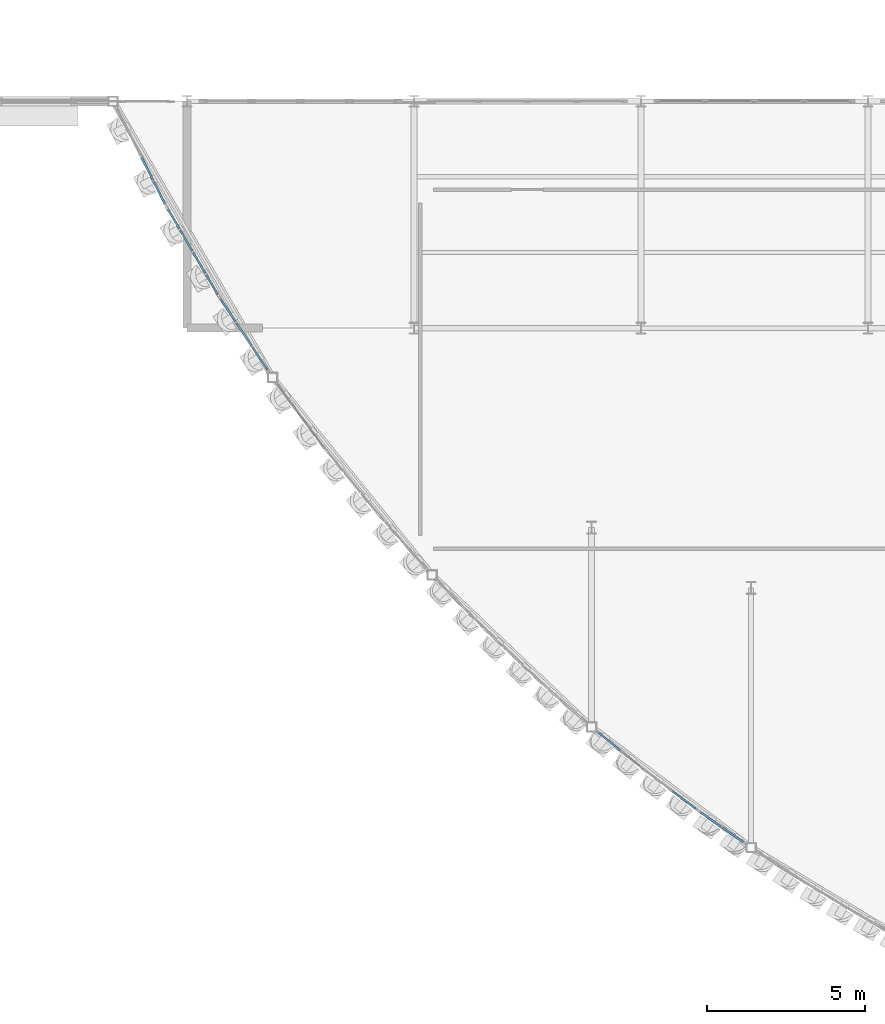
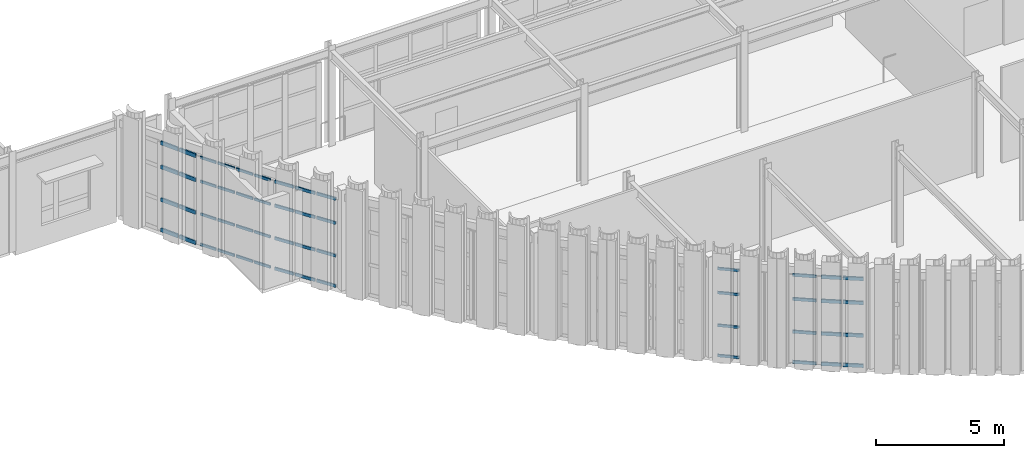
# One storey, part 70 of 126: 52 members, 6 elements without a shape of their own.
"""IFC4 building model written with IfcOpenShell, lengths in metres."""

from ifc_helpers import new_model, si_unit, direction, frame, origin, origin_2d, place, context, subcontext, project, spatial, hollow_rectangle, extrude, material, layer, layer_set, material_profile, profile_set, type_object, element, aggregate, save


model = new_model("IFC4")

# Units and contexts
model_context = context("Model", 3, precision=1e-05, world=origin(), true_north=direction((0.0, 1.0)))
body_context = subcontext(model_context, "Body", "Model", "MODEL_VIEW")
ifc_project = project(units=[si_unit("LENGTHUNIT", "METRE"), si_unit("AREAUNIT", "SQUARE_METRE"), si_unit("VOLUMEUNIT", "CUBIC_METRE"), si_unit("PLANEANGLEUNIT", "RADIAN"), si_unit("MASSUNIT", "GRAM", prefix="KILO")], contexts=[model_context])

# Site, building, storey
site_placement = place(None, origin())
site = spatial("IfcSite", under=ifc_project, at=site_placement, CompositionType="ELEMENT")
building_placement = place(site_placement, origin())
building = spatial("IfcBuilding", under=site, at=building_placement, Name="Solvadek Multi-Sports Hall", CompositionType="ELEMENT")
storey_placement = place(building_placement, frame((0.0, 0.0, 9.60009765625)))
storey = spatial("IfcBuildingStorey", under=building, at=storey_placement, Name="L02", CompositionType="ELEMENT", Elevation=9.60009765625)

# Curtain wall, members
ifc_material = material(Name="Anodised aluminium", Category="aluminium")
ifc_layer_1 = layer(ifc_material, 0.159912109375, Name="Anodised aluminium")
ifc_layer_set_1 = layer_set([ifc_layer_1], Name="Anodised aluminium")
curtain_wall_type_1 = type_object("IfcCurtainWallType", Name="ENV-CW-328X420", PredefinedType="USERDEFINED", material=ifc_layer_set_1)
curtain_wall_1_placement = place(storey_placement, origin())
curtain_wall_1 = element("IfcCurtainWall", 1, at=curtain_wall_1_placement, inside=storey, type_object=curtain_wall_type_1, Name="L02 Crescent Curved Curtain Wall #4", ObjectType="CURTAIN WALL", PredefinedType="USERDEFINED")
ifc_material_profile_1 = material_profile(ifc_material, hollow_rectangle(XDim=0.06005859375, YDim=0.1201171875, WallThickness=0.00390625, at=origin_2d()), Name="ALU-T 120x60x4")
ifc_profile_set_1 = profile_set([ifc_material_profile_1], Name="Anodised aluminium")
member_type_1 = type_object("IfcMemberType", Name="ENV-CWT-01", PredefinedType="USERDEFINED", material=ifc_profile_set_1)
member_1_placement = place(storey_placement, frame((28.19189453125, 16.98046875, 0.02978515625), z_axis=(0.504825731606, -0.863221281427, 0.0), x_axis=(0.863221281427, 0.504825731606, 0.0)))
member_1 = element("IfcMember", 2, at=member_1_placement, type_object=member_type_1, Name="CW-02 transom 1.1", ObjectType="TRANSOM", PredefinedType="USERDEFINED", context=body_context, shape_type="SweptSolid", body=[
    extrude(hollow_rectangle(XDim=0.06005859375, YDim=0.1201171875, WallThickness=0.00390625, at=origin_2d()), origin(), (0.0, 0.0, 1.0), 0.71533203125),
])
member_2_placement = place(storey_placement, frame((28.19189453125, 16.98046875, 1.469970703125), z_axis=(0.504825731606, -0.863221281427, 0.0), x_axis=(0.863221281427, 0.504825731606, 0.0)))
member_2 = element("IfcMember", 3, at=member_2_placement, type_object=member_type_1, Name="CW-02 transom 1.2", ObjectType="TRANSOM", PredefinedType="USERDEFINED", context=body_context, shape_type="SweptSolid", body=[
    extrude(hollow_rectangle(XDim=0.06005859375, YDim=0.1201171875, WallThickness=0.00390625, at=origin_2d()), origin(), (0.0, 0.0, 1.0), 0.71533203125),
])
member_3_placement = place(storey_placement, frame((28.19189453125, 16.98046875, 3.02392578125), z_axis=(0.504825731606, -0.863221281427, 0.0), x_axis=(0.863221281427, 0.504825731606, 0.0)))
member_3 = element("IfcMember", 4, at=member_3_placement, type_object=member_type_1, Name="CW-02 transom 1.3", ObjectType="TRANSOM", PredefinedType="USERDEFINED", context=body_context, shape_type="SweptSolid", body=[
    extrude(hollow_rectangle(XDim=0.06005859375, YDim=0.1201171875, WallThickness=0.00390625, at=origin_2d()), origin(), (0.0, 0.0, 1.0), 0.71533203125),
])
member_4_placement = place(storey_placement, frame((28.19189453125, 16.98046875, 4.169921875), z_axis=(0.504825731606, -0.863221281427, 0.0), x_axis=(0.863221281427, 0.504825731606, 0.0)))
member_4 = element("IfcMember", 5, at=member_4_placement, type_object=member_type_1, Name="CW-02 transom 1.4", ObjectType="TRANSOM", PredefinedType="USERDEFINED", context=body_context, shape_type="SweptSolid", body=[
    extrude(hollow_rectangle(XDim=0.06005859375, YDim=0.1201171875, WallThickness=0.00390625, at=origin_2d()), origin(), (0.0, 0.0, 1.0), 0.71533203125),
])
member_5_placement = place(storey_placement, frame((28.58837890625, 16.302734375, 0.02978515625), z_axis=(0.505084608649, -0.863069833852, 0.0), x_axis=(0.863069833852, 0.505084608649, 0.0)))
member_5 = element("IfcMember", 6, at=member_5_placement, type_object=member_type_1, Name="CW-02 transom 2.1", ObjectType="TRANSOM", PredefinedType="USERDEFINED", context=body_context, shape_type="SweptSolid", body=[
    extrude(hollow_rectangle(XDim=0.06005859375, YDim=0.1201171875, WallThickness=0.00390625, at=origin_2d()), origin(), (0.0, 0.0, 1.0), 0.750244140625),
])
member_6_placement = place(storey_placement, frame((28.58837890625, 16.302734375, 1.469970703125), z_axis=(0.505084608649, -0.863069833852, 0.0), x_axis=(0.863069833852, 0.505084608649, 0.0)))
member_6 = element("IfcMember", 7, at=member_6_placement, type_object=member_type_1, Name="CW-02 transom 2.2", ObjectType="TRANSOM", PredefinedType="USERDEFINED", context=body_context, shape_type="SweptSolid", body=[
    extrude(hollow_rectangle(XDim=0.06005859375, YDim=0.1201171875, WallThickness=0.00390625, at=origin_2d()), origin(), (0.0, 0.0, 1.0), 0.750244140625),
])
member_7_placement = place(storey_placement, frame((28.58837890625, 16.302734375, 3.02392578125), z_axis=(0.505084608649, -0.863069833852, 0.0), x_axis=(0.863069833852, 0.505084608649, 0.0)))
member_7 = element("IfcMember", 8, at=member_7_placement, type_object=member_type_1, Name="CW-02 transom 2.3", ObjectType="TRANSOM", PredefinedType="USERDEFINED", context=body_context, shape_type="SweptSolid", body=[
    extrude(hollow_rectangle(XDim=0.06005859375, YDim=0.1201171875, WallThickness=0.00390625, at=origin_2d()), origin(), (0.0, 0.0, 1.0), 0.750244140625),
])
member_8_placement = place(storey_placement, frame((28.58837890625, 16.302734375, 4.169921875), z_axis=(0.505084608649, -0.863069833852, 0.0), x_axis=(0.863069833852, 0.505084608649, 0.0)))
member_8 = element("IfcMember", 9, at=member_8_placement, type_object=member_type_1, Name="CW-02 transom 2.4", ObjectType="TRANSOM", PredefinedType="USERDEFINED", context=body_context, shape_type="SweptSolid", body=[
    extrude(hollow_rectangle(XDim=0.06005859375, YDim=0.1201171875, WallThickness=0.00390625, at=origin_2d()), origin(), (0.0, 0.0, 1.0), 0.750244140625),
])
member_9_placement = place(storey_placement, frame((29.002685546875, 15.5947265625, 0.02978515625), z_axis=(0.504842131194, -0.863211690474, 0.0), x_axis=(0.863211690474, 0.504842131194, 0.0)))
member_9 = element("IfcMember", 10, at=member_9_placement, type_object=member_type_1, Name="CW-02 transom 3.1", ObjectType="TRANSOM", PredefinedType="USERDEFINED", context=body_context, shape_type="SweptSolid", body=[
    extrude(hollow_rectangle(XDim=0.06005859375, YDim=0.1201171875, WallThickness=0.00390625, at=origin_2d()), origin(), (0.0, 0.0, 1.0), 0.75),
])
member_10_placement = place(storey_placement, frame((29.002685546875, 15.5947265625, 1.469970703125), z_axis=(0.504842131194, -0.863211690474, 0.0), x_axis=(0.863211690474, 0.504842131194, 0.0)))
member_10 = element("IfcMember", 11, at=member_10_placement, type_object=member_type_1, Name="CW-02 transom 3.2", ObjectType="TRANSOM", PredefinedType="USERDEFINED", context=body_context, shape_type="SweptSolid", body=[
    extrude(hollow_rectangle(XDim=0.06005859375, YDim=0.1201171875, WallThickness=0.00390625, at=origin_2d()), origin(), (0.0, 0.0, 1.0), 0.75),
])
member_11_placement = place(storey_placement, frame((29.002685546875, 15.5947265625, 3.02392578125), z_axis=(0.504842131194, -0.863211690474, 0.0), x_axis=(0.863211690474, 0.504842131194, 0.0)))
member_11 = element("IfcMember", 12, at=member_11_placement, type_object=member_type_1, Name="CW-02 transom 3.3", ObjectType="TRANSOM", PredefinedType="USERDEFINED", context=body_context, shape_type="SweptSolid", body=[
    extrude(hollow_rectangle(XDim=0.06005859375, YDim=0.1201171875, WallThickness=0.00390625, at=origin_2d()), origin(), (0.0, 0.0, 1.0), 0.75),
])
member_12_placement = place(storey_placement, frame((29.002685546875, 15.5947265625, 4.169921875), z_axis=(0.504842131194, -0.863211690474, 0.0), x_axis=(0.863211690474, 0.504842131194, 0.0)))
member_12 = element("IfcMember", 13, at=member_12_placement, type_object=member_type_1, Name="CW-02 transom 3.4", ObjectType="TRANSOM", PredefinedType="USERDEFINED", context=body_context, shape_type="SweptSolid", body=[
    extrude(hollow_rectangle(XDim=0.06005859375, YDim=0.1201171875, WallThickness=0.00390625, at=origin_2d()), origin(), (0.0, 0.0, 1.0), 0.75),
])
member_13_placement = place(storey_placement, frame((29.416748046875, 14.88671875, 0.02978515625), z_axis=(0.504974511079, -0.863134255583, 0.0), x_axis=(0.863134255583, 0.504974511079, 0.0)))
member_13 = element("IfcMember", 14, at=member_13_placement, type_object=member_type_1, Name="CW-02 transom 4.1", ObjectType="TRANSOM", PredefinedType="USERDEFINED", context=body_context, shape_type="SweptSolid", body=[
    extrude(hollow_rectangle(XDim=0.06005859375, YDim=0.1201171875, WallThickness=0.00390625, at=origin_2d()), origin(), (0.0, 0.0, 1.0), 0.715087890625),
])
member_14_placement = place(storey_placement, frame((29.416748046875, 14.88671875, 1.469970703125), z_axis=(0.504974511079, -0.863134255583, 0.0), x_axis=(0.863134255583, 0.504974511079, 0.0)))
member_14 = element("IfcMember", 15, at=member_14_placement, type_object=member_type_1, Name="CW-02 transom 4.2", ObjectType="TRANSOM", PredefinedType="USERDEFINED", context=body_context, shape_type="SweptSolid", body=[
    extrude(hollow_rectangle(XDim=0.06005859375, YDim=0.1201171875, WallThickness=0.00390625, at=origin_2d()), origin(), (0.0, 0.0, 1.0), 0.715087890625),
])
member_15_placement = place(storey_placement, frame((29.416748046875, 14.88671875, 3.02392578125), z_axis=(0.504974511079, -0.863134255583, 0.0), x_axis=(0.863134255583, 0.504974511079, 0.0)))
member_15 = element("IfcMember", 16, at=member_15_placement, type_object=member_type_1, Name="CW-02 transom 4.3", ObjectType="TRANSOM", PredefinedType="USERDEFINED", context=body_context, shape_type="SweptSolid", body=[
    extrude(hollow_rectangle(XDim=0.06005859375, YDim=0.1201171875, WallThickness=0.00390625, at=origin_2d()), origin(), (0.0, 0.0, 1.0), 0.715087890625),
])
member_16_placement = place(storey_placement, frame((29.416748046875, 14.88671875, 4.169921875), z_axis=(0.504974511079, -0.863134255583, 0.0), x_axis=(0.863134255583, 0.504974511079, 0.0)))
member_16 = element("IfcMember", 17, at=member_16_placement, type_object=member_type_1, Name="CW-02 transom 4.4", ObjectType="TRANSOM", PredefinedType="USERDEFINED", context=body_context, shape_type="SweptSolid", body=[
    extrude(hollow_rectangle(XDim=0.06005859375, YDim=0.1201171875, WallThickness=0.00390625, at=origin_2d()), origin(), (0.0, 0.0, 1.0), 0.715087890625),
])
aggregate(curtain_wall_1, [member_1, member_2, member_3, member_4, member_5, member_6, member_7, member_8, member_9, member_10, member_11, member_12, member_13, member_14, member_15, member_16])

ifc_layer_2 = layer(ifc_material, 0.159912109375, Name="Anodised aluminium")
ifc_layer_set_2 = layer_set([ifc_layer_2], Name="Anodised aluminium")
curtain_wall_type_2 = type_object("IfcCurtainWallType", Name="ENV-CW-190X420", PredefinedType="USERDEFINED", material=ifc_layer_set_2)
curtain_wall_2_placement = place(storey_placement, origin())
curtain_wall_2 = element("IfcCurtainWall", 18, at=curtain_wall_2_placement, inside=storey, type_object=curtain_wall_type_2, Name="L02 Crescent Curved Curtain Wall #20", ObjectType="CURTAIN WALL", PredefinedType="USERDEFINED")
member_17_placement = place(storey_placement, frame((41.873046875, 0.352783203125, 0.02978515625), z_axis=(0.775799363064, -0.63097967342, 0.0), x_axis=(0.63097967342, 0.775799363064, 0.0)))
member_17 = element("IfcMember", 19, at=member_17_placement, type_object=member_type_1, Name="CW-09 transom 1.1", ObjectType="TRANSOM", PredefinedType="USERDEFINED", context=body_context, shape_type="SweptSolid", body=[
    extrude(hollow_rectangle(XDim=0.06005859375, YDim=0.1201171875, WallThickness=0.00390625, at=origin_2d()), origin(), (0.0, 0.0, 1.0), 0.854736328125),
])
member_18_placement = place(storey_placement, frame((41.873046875, 0.352783203125, 1.469970703125), z_axis=(0.775799363064, -0.63097967342, 0.0), x_axis=(0.63097967342, 0.775799363064, 0.0)))
member_18 = element("IfcMember", 20, at=member_18_placement, type_object=member_type_1, Name="CW-09 transom 1.2", ObjectType="TRANSOM", PredefinedType="USERDEFINED", context=body_context, shape_type="SweptSolid", body=[
    extrude(hollow_rectangle(XDim=0.06005859375, YDim=0.1201171875, WallThickness=0.00390625, at=origin_2d()), origin(), (0.0, 0.0, 1.0), 0.854736328125),
])
member_19_placement = place(storey_placement, frame((41.873046875, 0.352783203125, 3.02392578125), z_axis=(0.775799363064, -0.63097967342, 0.0), x_axis=(0.63097967342, 0.775799363064, 0.0)))
member_19 = element("IfcMember", 21, at=member_19_placement, type_object=member_type_1, Name="CW-09 transom 1.3", ObjectType="TRANSOM", PredefinedType="USERDEFINED", context=body_context, shape_type="SweptSolid", body=[
    extrude(hollow_rectangle(XDim=0.06005859375, YDim=0.1201171875, WallThickness=0.00390625, at=origin_2d()), origin(), (0.0, 0.0, 1.0), 0.854736328125),
])
member_20_placement = place(storey_placement, frame((41.873046875, 0.352783203125, 4.169921875), z_axis=(0.775799363064, -0.63097967342, 0.0), x_axis=(0.63097967342, 0.775799363064, 0.0)))
member_20 = element("IfcMember", 22, at=member_20_placement, type_object=member_type_1, Name="CW-09 transom 1.4", ObjectType="TRANSOM", PredefinedType="USERDEFINED", context=body_context, shape_type="SweptSolid", body=[
    extrude(hollow_rectangle(XDim=0.06005859375, YDim=0.1201171875, WallThickness=0.00390625, at=origin_2d()), origin(), (0.0, 0.0, 1.0), 0.854736328125),
])
aggregate(curtain_wall_2, [member_17, member_18, member_19, member_20])

ifc_layer_3 = layer(ifc_material, 0.159912109375, Name="Anodised aluminium")
ifc_layer_set_3 = layer_set([ifc_layer_3], Name="Anodised aluminium")
curtain_wall_type_3 = type_object("IfcCurtainWallType", Name="ENV-CW-279X420", PredefinedType="USERDEFINED", material=ifc_layer_set_3)
curtain_wall_3_placement = place(storey_placement, origin())
curtain_wall_3 = element("IfcCurtainWall", 23, at=curtain_wall_3_placement, inside=storey, type_object=curtain_wall_type_3, Name="L02 Crescent Curved Curtain Wall #6", ObjectType="CURTAIN WALL", PredefinedType="USERDEFINED")
ifc_material_profile_2 = material_profile(ifc_material, hollow_rectangle(XDim=0.06005859375, YDim=0.139892578125, WallThickness=0.00390625, at=origin_2d()), Name="ALU-T 140x60x4")
ifc_profile_set_2 = profile_set([ifc_material_profile_2], Name="Anodised aluminium")
member_type_2 = type_object("IfcMemberType", Name="ENV-CWT-02", PredefinedType="USERDEFINED", material=ifc_profile_set_2)
member_21_placement = place(storey_placement, frame((29.8779296875, 14.108154296875, 0.02978515625), z_axis=(0.551474182656, -0.834191959841, 0.0), x_axis=(0.834191959841, 0.551474182656, 0.0)))
member_21 = element("IfcMember", 24, at=member_21_placement, type_object=member_type_2, Name="CW-03 transom 1.1", ObjectType="TRANSOM", PredefinedType="USERDEFINED", context=body_context, shape_type="SweptSolid", body=[
    extrude(hollow_rectangle(XDim=0.06005859375, YDim=0.139892578125, WallThickness=0.00390625, at=origin_2d()), origin(), (0.0, 0.0, 1.0), 0.83935546875),
])
member_22_placement = place(storey_placement, frame((29.8779296875, 14.108154296875, 1.469970703125), z_axis=(0.551474182656, -0.834191959841, 0.0), x_axis=(0.834191959841, 0.551474182656, 0.0)))
member_22 = element("IfcMember", 25, at=member_22_placement, type_object=member_type_2, Name="CW-03 transom 1.2", ObjectType="TRANSOM", PredefinedType="USERDEFINED", context=body_context, shape_type="SweptSolid", body=[
    extrude(hollow_rectangle(XDim=0.06005859375, YDim=0.139892578125, WallThickness=0.00390625, at=origin_2d()), origin(), (0.0, 0.0, 1.0), 0.83935546875),
])
member_23_placement = place(storey_placement, frame((29.8779296875, 14.108154296875, 3.02392578125), z_axis=(0.551474182656, -0.834191959841, 0.0), x_axis=(0.834191959841, 0.551474182656, 0.0)))
member_23 = element("IfcMember", 26, at=member_23_placement, type_object=member_type_2, Name="CW-03 transom 1.3", ObjectType="TRANSOM", PredefinedType="USERDEFINED", context=body_context, shape_type="SweptSolid", body=[
    extrude(hollow_rectangle(XDim=0.06005859375, YDim=0.139892578125, WallThickness=0.00390625, at=origin_2d()), origin(), (0.0, 0.0, 1.0), 0.83935546875),
])
member_24_placement = place(storey_placement, frame((29.8779296875, 14.108154296875, 4.169921875), z_axis=(0.551474182656, -0.834191959841, 0.0), x_axis=(0.834191959841, 0.551474182656, 0.0)))
member_24 = element("IfcMember", 27, at=member_24_placement, type_object=member_type_2, Name="CW-03 transom 1.4", ObjectType="TRANSOM", PredefinedType="USERDEFINED", context=body_context, shape_type="SweptSolid", body=[
    extrude(hollow_rectangle(XDim=0.06005859375, YDim=0.139892578125, WallThickness=0.00390625, at=origin_2d()), origin(), (0.0, 0.0, 1.0), 0.83935546875),
])
member_25_placement = place(storey_placement, frame((30.3740234375, 13.35791015625, 0.02978515625), z_axis=(0.551585387867, -0.834118432773, 0.0), x_axis=(0.834118432773, 0.551585387867, 0.0)))
member_25 = element("IfcMember", 28, at=member_25_placement, type_object=member_type_2, Name="CW-03 transom 2.1", ObjectType="TRANSOM", PredefinedType="USERDEFINED", context=body_context, shape_type="SweptSolid", body=[
    extrude(hollow_rectangle(XDim=0.06005859375, YDim=0.139892578125, WallThickness=0.00390625, at=origin_2d()), origin(), (0.0, 0.0, 1.0), 0.869384765625),
])
member_26_placement = place(storey_placement, frame((30.3740234375, 13.35791015625, 1.469970703125), z_axis=(0.551585387867, -0.834118432773, 0.0), x_axis=(0.834118432773, 0.551585387867, 0.0)))
member_26 = element("IfcMember", 29, at=member_26_placement, type_object=member_type_2, Name="CW-03 transom 2.2", ObjectType="TRANSOM", PredefinedType="USERDEFINED", context=body_context, shape_type="SweptSolid", body=[
    extrude(hollow_rectangle(XDim=0.06005859375, YDim=0.139892578125, WallThickness=0.00390625, at=origin_2d()), origin(), (0.0, 0.0, 1.0), 0.869384765625),
])
member_27_placement = place(storey_placement, frame((30.3740234375, 13.35791015625, 3.02392578125), z_axis=(0.551585387867, -0.834118432773, 0.0), x_axis=(0.834118432773, 0.551585387867, 0.0)))
member_27 = element("IfcMember", 30, at=member_27_placement, type_object=member_type_2, Name="CW-03 transom 2.3", ObjectType="TRANSOM", PredefinedType="USERDEFINED", context=body_context, shape_type="SweptSolid", body=[
    extrude(hollow_rectangle(XDim=0.06005859375, YDim=0.139892578125, WallThickness=0.00390625, at=origin_2d()), origin(), (0.0, 0.0, 1.0), 0.869384765625),
])
member_28_placement = place(storey_placement, frame((30.3740234375, 13.35791015625, 4.169921875), z_axis=(0.551585387867, -0.834118432773, 0.0), x_axis=(0.834118432773, 0.551585387867, 0.0)))
member_28 = element("IfcMember", 31, at=member_28_placement, type_object=member_type_2, Name="CW-03 transom 2.4", ObjectType="TRANSOM", PredefinedType="USERDEFINED", context=body_context, shape_type="SweptSolid", body=[
    extrude(hollow_rectangle(XDim=0.06005859375, YDim=0.139892578125, WallThickness=0.00390625, at=origin_2d()), origin(), (0.0, 0.0, 1.0), 0.869384765625),
])
member_29_placement = place(storey_placement, frame((30.88671875, 12.582763671875, 0.02978515625), z_axis=(0.551474182656, -0.834191959841, 0.0), x_axis=(0.834191959841, 0.551474182656, 0.0)))
member_29 = element("IfcMember", 32, at=member_29_placement, type_object=member_type_2, Name="CW-03 transom 3.1", ObjectType="TRANSOM", PredefinedType="USERDEFINED", context=body_context, shape_type="SweptSolid", body=[
    extrude(hollow_rectangle(XDim=0.06005859375, YDim=0.139892578125, WallThickness=0.00390625, at=origin_2d()), origin(), (0.0, 0.0, 1.0), 0.83935546875),
])
member_30_placement = place(storey_placement, frame((30.88671875, 12.582763671875, 1.469970703125), z_axis=(0.551474182656, -0.834191959841, 0.0), x_axis=(0.834191959841, 0.551474182656, 0.0)))
member_30 = element("IfcMember", 33, at=member_30_placement, type_object=member_type_2, Name="CW-03 transom 3.2", ObjectType="TRANSOM", PredefinedType="USERDEFINED", context=body_context, shape_type="SweptSolid", body=[
    extrude(hollow_rectangle(XDim=0.06005859375, YDim=0.139892578125, WallThickness=0.00390625, at=origin_2d()), origin(), (0.0, 0.0, 1.0), 0.83935546875),
])
member_31_placement = place(storey_placement, frame((30.88671875, 12.582763671875, 3.02392578125), z_axis=(0.551474182656, -0.834191959841, 0.0), x_axis=(0.834191959841, 0.551474182656, 0.0)))
member_31 = element("IfcMember", 34, at=member_31_placement, type_object=member_type_2, Name="CW-03 transom 3.3", ObjectType="TRANSOM", PredefinedType="USERDEFINED", context=body_context, shape_type="SweptSolid", body=[
    extrude(hollow_rectangle(XDim=0.06005859375, YDim=0.139892578125, WallThickness=0.00390625, at=origin_2d()), origin(), (0.0, 0.0, 1.0), 0.83935546875),
])
member_32_placement = place(storey_placement, frame((30.88671875, 12.582763671875, 4.169921875), z_axis=(0.551474182656, -0.834191959841, 0.0), x_axis=(0.834191959841, 0.551474182656, 0.0)))
member_32 = element("IfcMember", 35, at=member_32_placement, type_object=member_type_2, Name="CW-03 transom 3.4", ObjectType="TRANSOM", PredefinedType="USERDEFINED", context=body_context, shape_type="SweptSolid", body=[
    extrude(hollow_rectangle(XDim=0.06005859375, YDim=0.139892578125, WallThickness=0.00390625, at=origin_2d()), origin(), (0.0, 0.0, 1.0), 0.83935546875),
])
aggregate(curtain_wall_3, [member_21, member_22, member_23, member_24, member_25, member_26, member_27, member_28, member_29, member_30, member_31, member_32])

ifc_layer_4 = layer(ifc_material, 0.159912109375, Name="Anodised aluminium")
ifc_layer_set_4 = layer_set([ifc_layer_4], Name="Anodised aluminium")
curtain_wall_type_4 = type_object("IfcCurtainWallType", Name="ENV-CW-205X420", PredefinedType="USERDEFINED", material=ifc_layer_set_4)
curtain_wall_4_placement = place(storey_placement, origin())
curtain_wall_4 = element("IfcCurtainWall", 36, at=curtain_wall_4_placement, inside=storey, type_object=curtain_wall_type_4, Name="L02 Crescent Curved Curtain Wall #22", ObjectType="CURTAIN WALL", PredefinedType="USERDEFINED")
member_33_placement = place(storey_placement, frame((44.192626953125, -1.482421875, 0.02978515625), z_axis=(0.79845144591, -0.602059206827, 0.0), x_axis=(0.602059206827, 0.79845144591, 0.0)))
member_33 = element("IfcMember", 37, at=member_33_placement, type_object=member_type_2, Name="CW-10 transom 2.1", ObjectType="TRANSOM", PredefinedType="USERDEFINED", context=body_context, shape_type="SweptSolid", body=[
    extrude(hollow_rectangle(XDim=0.06005859375, YDim=0.139892578125, WallThickness=0.00390625, at=origin_2d()), origin(), (0.0, 0.0, 1.0), 0.9287109375),
])
member_34_placement = place(storey_placement, frame((44.192626953125, -1.482421875, 1.469970703125), z_axis=(0.79845144591, -0.602059206827, 0.0), x_axis=(0.602059206827, 0.79845144591, 0.0)))
member_34 = element("IfcMember", 38, at=member_34_placement, type_object=member_type_2, Name="CW-10 transom 2.2", ObjectType="TRANSOM", PredefinedType="USERDEFINED", context=body_context, shape_type="SweptSolid", body=[
    extrude(hollow_rectangle(XDim=0.06005859375, YDim=0.139892578125, WallThickness=0.00390625, at=origin_2d()), origin(), (0.0, 0.0, 1.0), 0.9287109375),
])
member_35_placement = place(storey_placement, frame((44.192626953125, -1.482421875, 3.02392578125), z_axis=(0.79845144591, -0.602059206827, 0.0), x_axis=(0.602059206827, 0.79845144591, 0.0)))
member_35 = element("IfcMember", 39, at=member_35_placement, type_object=member_type_2, Name="CW-10 transom 2.3", ObjectType="TRANSOM", PredefinedType="USERDEFINED", context=body_context, shape_type="SweptSolid", body=[
    extrude(hollow_rectangle(XDim=0.06005859375, YDim=0.139892578125, WallThickness=0.00390625, at=origin_2d()), origin(), (0.0, 0.0, 1.0), 0.9287109375),
])
member_36_placement = place(storey_placement, frame((44.192626953125, -1.482421875, 4.169921875), z_axis=(0.79845144591, -0.602059206827, 0.0), x_axis=(0.602059206827, 0.79845144591, 0.0)))
member_36 = element("IfcMember", 40, at=member_36_placement, type_object=member_type_2, Name="CW-10 transom 2.4", ObjectType="TRANSOM", PredefinedType="USERDEFINED", context=body_context, shape_type="SweptSolid", body=[
    extrude(hollow_rectangle(XDim=0.06005859375, YDim=0.139892578125, WallThickness=0.00390625, at=origin_2d()), origin(), (0.0, 0.0, 1.0), 0.9287109375),
])
aggregate(curtain_wall_4, [member_33, member_34, member_35, member_36])

ifc_layer_5 = layer(ifc_material, 0.159912109375, Name="Anodised aluminium")
ifc_layer_set_5 = layer_set([ifc_layer_5], Name="Anodised aluminium")
curtain_wall_type_5 = type_object("IfcCurtainWallType", Name="ENV-CW-179X420", PredefinedType="USERDEFINED", material=ifc_layer_set_5)
curtain_wall_5_placement = place(storey_placement, origin())
curtain_wall_5 = element("IfcCurtainWall", 41, at=curtain_wall_5_placement, inside=storey, type_object=curtain_wall_type_5, Name="L02 Crescent Curved Curtain Wall #24", ObjectType="CURTAIN WALL", PredefinedType="USERDEFINED")
ifc_material_profile_3 = material_profile(ifc_material, hollow_rectangle(XDim=0.06494140625, YDim=0.159912109375, WallThickness=0.00390625, at=origin_2d()), Name="ALU-T 160x65x4")
ifc_profile_set_3 = profile_set([ifc_material_profile_3], Name="Anodised aluminium")
member_type_3 = type_object("IfcMemberType", Name="ENV-CWT-03", PredefinedType="USERDEFINED", material=ifc_profile_set_3)
member_37_placement = place(storey_placement, frame((45.092041015625, -2.156005859375, 0.032470703125), z_axis=(0.819420797025, -0.573192426156, 0.0), x_axis=(0.573192426156, 0.819420797025, 0.0)))
member_37 = element("IfcMember", 42, at=member_37_placement, type_object=member_type_3, Name="CW-11 transom 1.1", ObjectType="TRANSOM", PredefinedType="USERDEFINED", context=body_context, shape_type="SweptSolid", body=[
    extrude(hollow_rectangle(XDim=0.06494140625, YDim=0.159912109375, WallThickness=0.00390625, at=origin_2d()), origin(), (0.0, 0.0, 1.0), 0.789306640625),
])
member_38_placement = place(storey_placement, frame((45.092041015625, -2.156005859375, 1.469970703125), z_axis=(0.819420797025, -0.573192426156, 0.0), x_axis=(0.573192426156, 0.819420797025, 0.0)))
member_38 = element("IfcMember", 43, at=member_38_placement, type_object=member_type_3, Name="CW-11 transom 1.2", ObjectType="TRANSOM", PredefinedType="USERDEFINED", context=body_context, shape_type="SweptSolid", body=[
    extrude(hollow_rectangle(XDim=0.06494140625, YDim=0.159912109375, WallThickness=0.00390625, at=origin_2d()), origin(), (0.0, 0.0, 1.0), 0.789306640625),
])
member_39_placement = place(storey_placement, frame((45.092041015625, -2.156005859375, 3.02392578125), z_axis=(0.819420797025, -0.573192426156, 0.0), x_axis=(0.573192426156, 0.819420797025, 0.0)))
member_39 = element("IfcMember", 44, at=member_39_placement, type_object=member_type_3, Name="CW-11 transom 1.3", ObjectType="TRANSOM", PredefinedType="USERDEFINED", context=body_context, shape_type="SweptSolid", body=[
    extrude(hollow_rectangle(XDim=0.06494140625, YDim=0.159912109375, WallThickness=0.00390625, at=origin_2d()), origin(), (0.0, 0.0, 1.0), 0.789306640625),
])
member_40_placement = place(storey_placement, frame((45.092041015625, -2.156005859375, 4.16748046875), z_axis=(0.819420797025, -0.573192426156, 0.0), x_axis=(0.573192426156, 0.819420797025, 0.0)))
member_40 = element("IfcMember", 45, at=member_40_placement, type_object=member_type_3, Name="CW-11 transom 1.4", ObjectType="TRANSOM", PredefinedType="USERDEFINED", context=body_context, shape_type="SweptSolid", body=[
    extrude(hollow_rectangle(XDim=0.06494140625, YDim=0.159912109375, WallThickness=0.00390625, at=origin_2d()), origin(), (0.0, 0.0, 1.0), 0.789306640625),
])
member_41_placement = place(storey_placement, frame((45.796142578125, -2.6484375, 0.032470703125), z_axis=(0.819566085358, -0.572984669718, 0.0), x_axis=(0.572984669718, 0.819566085358, 0.0)))
member_41 = element("IfcMember", 46, at=member_41_placement, type_object=member_type_3, Name="CW-11 transom 2.1", ObjectType="TRANSOM", PredefinedType="USERDEFINED", context=body_context, shape_type="SweptSolid", body=[
    extrude(hollow_rectangle(XDim=0.06494140625, YDim=0.159912109375, WallThickness=0.00390625, at=origin_2d()), origin(), (0.0, 0.0, 1.0), 0.7890625),
])
member_42_placement = place(storey_placement, frame((45.796142578125, -2.6484375, 1.469970703125), z_axis=(0.819566085358, -0.572984669718, 0.0), x_axis=(0.572984669718, 0.819566085358, 0.0)))
member_42 = element("IfcMember", 47, at=member_42_placement, type_object=member_type_3, Name="CW-11 transom 2.2", ObjectType="TRANSOM", PredefinedType="USERDEFINED", context=body_context, shape_type="SweptSolid", body=[
    extrude(hollow_rectangle(XDim=0.06494140625, YDim=0.159912109375, WallThickness=0.00390625, at=origin_2d()), origin(), (0.0, 0.0, 1.0), 0.7890625),
])
member_43_placement = place(storey_placement, frame((45.796142578125, -2.6484375, 3.02392578125), z_axis=(0.819566085358, -0.572984669718, 0.0), x_axis=(0.572984669718, 0.819566085358, 0.0)))
member_43 = element("IfcMember", 48, at=member_43_placement, type_object=member_type_3, Name="CW-11 transom 2.3", ObjectType="TRANSOM", PredefinedType="USERDEFINED", context=body_context, shape_type="SweptSolid", body=[
    extrude(hollow_rectangle(XDim=0.06494140625, YDim=0.159912109375, WallThickness=0.00390625, at=origin_2d()), origin(), (0.0, 0.0, 1.0), 0.7890625),
])
member_44_placement = place(storey_placement, frame((45.796142578125, -2.6484375, 4.16748046875), z_axis=(0.819566085358, -0.572984669718, 0.0), x_axis=(0.572984669718, 0.819566085358, 0.0)))
member_44 = element("IfcMember", 49, at=member_44_placement, type_object=member_type_3, Name="CW-11 transom 2.4", ObjectType="TRANSOM", PredefinedType="USERDEFINED", context=body_context, shape_type="SweptSolid", body=[
    extrude(hollow_rectangle(XDim=0.06494140625, YDim=0.159912109375, WallThickness=0.00390625, at=origin_2d()), origin(), (0.0, 0.0, 1.0), 0.7890625),
])
aggregate(curtain_wall_5, [member_37, member_38, member_39, member_40, member_41, member_42, member_43, member_44])

ifc_layer_6 = layer(ifc_material, 0.159912109375, Name="Anodised aluminium")
ifc_layer_set_6 = layer_set([ifc_layer_6], Name="Anodised aluminium")
curtain_wall_type_6 = type_object("IfcCurtainWallType", Name="ENV-CW-347X420", PredefinedType="USERDEFINED", material=ifc_layer_set_6)
curtain_wall_6_placement = place(storey_placement, origin())
curtain_wall_6 = element("IfcCurtainWall", 50, at=curtain_wall_6_placement, inside=storey, type_object=curtain_wall_type_6, Name="L02 Crescent Curved Curtain Wall #2", ObjectType="CURTAIN WALL", PredefinedType="USERDEFINED")
ifc_material_profile_4 = material_profile(ifc_material, hollow_rectangle(XDim=0.06494140625, YDim=0.179931640625, WallThickness=0.0048828125, at=origin_2d()), Name="ALU-T 180x65x5")
ifc_profile_set_4 = profile_set([ifc_material_profile_4], Name="Anodised aluminium")
member_type_4 = type_object("IfcMemberType", Name="ENV-CWT-04", PredefinedType="USERDEFINED", material=ifc_profile_set_4)
member_45_placement = place(storey_placement, frame((27.360107421875, 18.610595703125, 0.032470703125), z_axis=(0.451715936706, -0.892161819698, 0.0), x_axis=(0.892161819698, 0.451715936706, 0.0)))
member_45 = element("IfcMember", 51, at=member_45_placement, type_object=member_type_4, Name="CW-01 transom 3.1", ObjectType="TRANSOM", PredefinedType="USERDEFINED", context=body_context, shape_type="SweptSolid", body=[
    extrude(hollow_rectangle(XDim=0.06494140625, YDim=0.179931640625, WallThickness=0.0048828125, at=origin_2d()), origin(), (0.0, 0.0, 1.0), 0.801513671875),
])
member_46_placement = place(storey_placement, frame((27.360107421875, 18.610595703125, 1.469970703125), z_axis=(0.451715936706, -0.892161819698, 0.0), x_axis=(0.892161819698, 0.451715936706, 0.0)))
member_46 = element("IfcMember", 52, at=member_46_placement, type_object=member_type_4, Name="CW-01 transom 3.2", ObjectType="TRANSOM", PredefinedType="USERDEFINED", context=body_context, shape_type="SweptSolid", body=[
    extrude(hollow_rectangle(XDim=0.06494140625, YDim=0.179931640625, WallThickness=0.0048828125, at=origin_2d()), origin(), (0.0, 0.0, 1.0), 0.801513671875),
])
member_47_placement = place(storey_placement, frame((27.360107421875, 18.610595703125, 3.02392578125), z_axis=(0.451715936706, -0.892161819698, 0.0), x_axis=(0.892161819698, 0.451715936706, 0.0)))
member_47 = element("IfcMember", 53, at=member_47_placement, type_object=member_type_4, Name="CW-01 transom 3.3", ObjectType="TRANSOM", PredefinedType="USERDEFINED", context=body_context, shape_type="SweptSolid", body=[
    extrude(hollow_rectangle(XDim=0.06494140625, YDim=0.179931640625, WallThickness=0.0048828125, at=origin_2d()), origin(), (0.0, 0.0, 1.0), 0.801513671875),
])
member_48_placement = place(storey_placement, frame((27.360107421875, 18.610595703125, 4.16748046875), z_axis=(0.451715936706, -0.892161819698, 0.0), x_axis=(0.892161819698, 0.451715936706, 0.0)))
member_48 = element("IfcMember", 54, at=member_48_placement, type_object=member_type_4, Name="CW-01 transom 3.4", ObjectType="TRANSOM", PredefinedType="USERDEFINED", context=body_context, shape_type="SweptSolid", body=[
    extrude(hollow_rectangle(XDim=0.06494140625, YDim=0.179931640625, WallThickness=0.0048828125, at=origin_2d()), origin(), (0.0, 0.0, 1.0), 0.801513671875),
])
member_49_placement = place(storey_placement, frame((27.75146484375, 17.837646484375, 0.032470703125), z_axis=(0.451526782643, -0.892257566264, 0.0), x_axis=(0.892257566264, 0.451526782643, 0.0)))
member_49 = element("IfcMember", 55, at=member_49_placement, type_object=member_type_4, Name="CW-01 transom 4.1", ObjectType="TRANSOM", PredefinedType="USERDEFINED", context=body_context, shape_type="SweptSolid", body=[
    extrude(hollow_rectangle(XDim=0.06494140625, YDim=0.179931640625, WallThickness=0.0048828125, at=origin_2d()), origin(), (0.0, 0.0, 1.0), 0.768798828125),
])
member_50_placement = place(storey_placement, frame((27.75146484375, 17.837646484375, 1.469970703125), z_axis=(0.451526782643, -0.892257566264, 0.0), x_axis=(0.892257566264, 0.451526782643, 0.0)))
member_50 = element("IfcMember", 56, at=member_50_placement, type_object=member_type_4, Name="CW-01 transom 4.2", ObjectType="TRANSOM", PredefinedType="USERDEFINED", context=body_context, shape_type="SweptSolid", body=[
    extrude(hollow_rectangle(XDim=0.06494140625, YDim=0.179931640625, WallThickness=0.0048828125, at=origin_2d()), origin(), (0.0, 0.0, 1.0), 0.768798828125),
])
member_51_placement = place(storey_placement, frame((27.75146484375, 17.837646484375, 3.02392578125), z_axis=(0.451526782643, -0.892257566264, 0.0), x_axis=(0.892257566264, 0.451526782643, 0.0)))
member_51 = element("IfcMember", 57, at=member_51_placement, type_object=member_type_4, Name="CW-01 transom 4.3", ObjectType="TRANSOM", PredefinedType="USERDEFINED", context=body_context, shape_type="SweptSolid", body=[
    extrude(hollow_rectangle(XDim=0.06494140625, YDim=0.179931640625, WallThickness=0.0048828125, at=origin_2d()), origin(), (0.0, 0.0, 1.0), 0.768798828125),
])
member_52_placement = place(storey_placement, frame((27.75146484375, 17.837646484375, 4.16748046875), z_axis=(0.451526782643, -0.892257566264, 0.0), x_axis=(0.892257566264, 0.451526782643, 0.0)))
member_52 = element("IfcMember", 58, at=member_52_placement, type_object=member_type_4, Name="CW-01 transom 4.4", ObjectType="TRANSOM", PredefinedType="USERDEFINED", context=body_context, shape_type="SweptSolid", body=[
    extrude(hollow_rectangle(XDim=0.06494140625, YDim=0.179931640625, WallThickness=0.0048828125, at=origin_2d()), origin(), (0.0, 0.0, 1.0), 0.768798828125),
])
aggregate(curtain_wall_6, [member_45, member_46, member_47, member_48, member_49, member_50, member_51, member_52])

save(model, "model.ifc")
